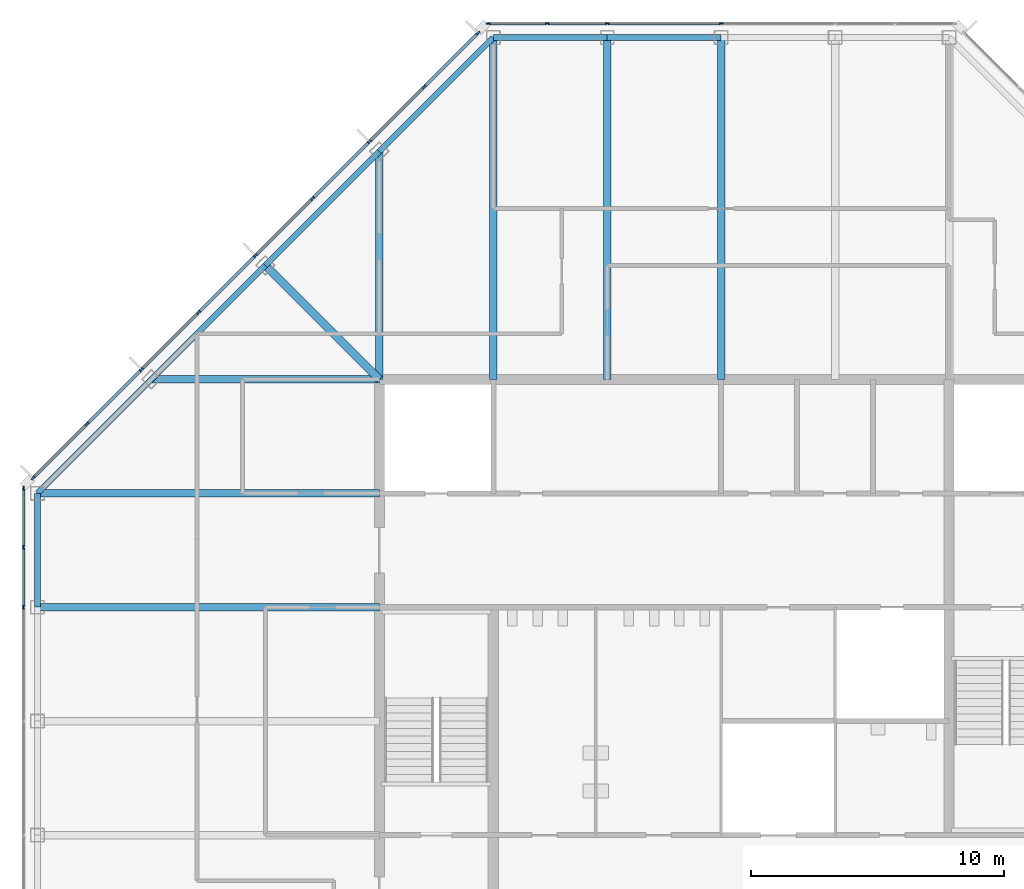
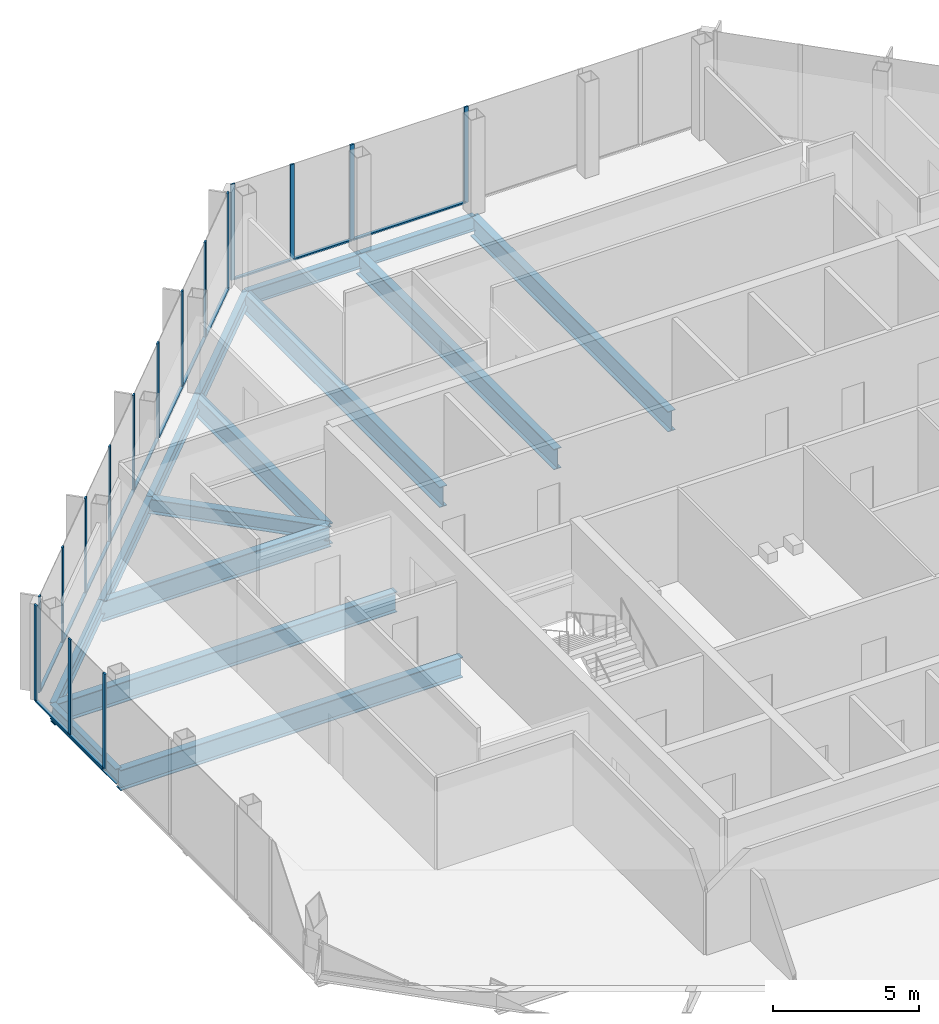
# One storey, part 6 of 13: 29 members, 15 beams, 3 elements without a shape of their own.
"""IFC4 building model written with IfcOpenShell, lengths in metres."""

from ifc_helpers import new_model, si_unit, direction, frame, origin, origin_2d, place, context, subcontext, project, spatial, rectangle, i_section, extrude, material, material_profile, profile_set, type_object, element, aggregate, save


model = new_model("IFC4")

# Units and contexts
model_context = context("Model", 3, precision=1e-05, world=origin(), true_north=direction((0.0, 1.0)))
body_context = subcontext(model_context, "Body", "Model", "MODEL_VIEW")
ifc_project = project(units=[si_unit("LENGTHUNIT", "METRE"), si_unit("AREAUNIT", "SQUARE_METRE"), si_unit("VOLUMEUNIT", "CUBIC_METRE"), si_unit("PLANEANGLEUNIT", "RADIAN"), si_unit("MASSUNIT", "GRAM", prefix="KILO")], contexts=[model_context])

# Site, building, storey
site_placement = place(None, origin())
site = spatial("IfcSite", under=ifc_project, at=site_placement, CompositionType="ELEMENT")
building_placement = place(site_placement, origin())
building = spatial("IfcBuilding", under=site, at=building_placement, Name="Corais Broadcast Tower", CompositionType="ELEMENT")
storey_placement = place(building_placement, frame((0.0, 0.0, 302.60009765625)))
storey = spatial("IfcBuildingStorey", under=building, at=storey_placement, Name="L71", CompositionType="ELEMENT", Elevation=302.60009765625)

# Beams
ifc_material_1 = material(Name="Steel ASTM A572 Grade 50", Category="steel")
ifc_material_profile_1 = material_profile(ifc_material_1, i_section(OverallWidth=0.323974609375, OverallDepth=0.611083984375, WebThickness=0.0126953125, FlangeThickness=0.01904296875, at=origin_2d()), Name="W610x155")
ifc_profile_set_1 = profile_set([ifc_material_profile_1], Name="Steel ASTM A572 Grade 50")
beam_type_1 = type_object("IfcBeamType", Name="Corner diagonal W610x155", PredefinedType="BEAM", material=ifc_profile_set_1)
beam_1_placement = place(storey_placement, frame((9.0, 45.0, -0.465576171875), z_axis=(0.707106781187, -0.707106781187, 0.0), x_axis=(0.707106781187, 0.707106781187, 0.0)))
element("IfcBeam", 1, at=beam_1_placement, inside=storey, type_object=beam_type_1, Name="B6 L/5 to K/6", PredefinedType="BEAM", context=body_context, shape_type="SweptSolid", body=[
    extrude(i_section(OverallWidth=0.323974609375, OverallDepth=0.611083984375, WebThickness=0.0126953125, FlangeThickness=0.01904296875, at=origin_2d()), origin(), (0.0, 0.0, 1.0), 6.364013671875),
])
ifc_material_2 = material(Name="Steel ASTM A572 Grade 50", Category="steel")
ifc_material_profile_2 = material_profile(ifc_material_2, i_section(OverallWidth=0.2939453125, OverallDepth=0.85107421875, WebThickness=0.01611328125, FlangeThickness=0.02685546875, at=origin_2d()), Name="W840x226")
ifc_profile_set_2 = profile_set([ifc_material_profile_2], Name="Steel ASTM A572 Grade 50")
beam_type_2 = type_object("IfcBeamType", Name="Floor beam W840x226", PredefinedType="BEAM", material=ifc_profile_set_2)
for number, where, z_axis, x_axis, name in (
    (2, (0.0, 31.5, -0.585693359375), (1.0, 0.0, 0.0), (0.0, 1.0, 0.0), "B1 H/3 to H/6"),
    (3, (0.0, 36.0, -0.585693359375), (1.0, 0.0, 0.0), (0.0, 1.0, 0.0), "B1 J/3 to J/6"),
):
    element("IfcBeam", number, at=place(storey_placement, frame(where, z_axis=z_axis, x_axis=x_axis)), inside=storey, type_object=beam_type_2, Name=name, PredefinedType="BEAM", context=body_context, shape_type="SweptSolid", body=[
        extrude(i_section(OverallWidth=0.2939453125, OverallDepth=0.85107421875, WebThickness=0.01611328125, FlangeThickness=0.02685546875, at=origin_2d()), origin(), (0.0, 0.0, 1.0), 13.5),
    ])
beam_2_placement = place(storey_placement, frame((13.5, 49.5, -0.585693359375), z_axis=(0.0, -1.0, 0.0), x_axis=(1.0, 0.0, 0.0)))
element("IfcBeam", 4, at=beam_2_placement, inside=storey, type_object=beam_type_2, Name="B1 M/6 to K/6", PredefinedType="BEAM", context=body_context, shape_type="SweptSolid", body=[
    extrude(i_section(OverallWidth=0.2939453125, OverallDepth=0.85107421875, WebThickness=0.01611328125, FlangeThickness=0.02685546875, at=origin_2d()), origin(), (0.0, 0.0, 1.0), 9.0),
])
for number, where, z_axis, x_axis, name in (
    (5, (18.0, 54.0, -0.585693359375), (0.0, -1.0, 0.0), (1.0, 0.0, 0.0), "B1 N/7 to K/7"),
    (6, (22.5, 54.0, -0.585693359375), (0.0, -1.0, 0.0), (1.0, 0.0, 0.0), "B1 N/8 to K/8"),
    (7, (27.0, 54.0, -0.585693359375), (0.0, -1.0, 0.0), (1.0, 0.0, 0.0), "B1 N/9 to K/9"),
):
    element("IfcBeam", number, at=place(storey_placement, frame(where, z_axis=z_axis, x_axis=x_axis)), inside=storey, type_object=beam_type_2, Name=name, PredefinedType="BEAM", context=body_context, shape_type="SweptSolid", body=[
        extrude(i_section(OverallWidth=0.2939453125, OverallDepth=0.85107421875, WebThickness=0.01611328125, FlangeThickness=0.02685546875, at=origin_2d()), origin(), (0.0, 0.0, 1.0), 13.5),
    ])
beam_3_placement = place(storey_placement, frame((4.5, 40.5, -0.585693359375), z_axis=(1.0, 0.0, 0.0), x_axis=(0.0, 1.0, 0.0)))
element("IfcBeam", 8, at=beam_3_placement, inside=storey, type_object=beam_type_2, Name="B1 K/4 to K/6", PredefinedType="BEAM", context=body_context, shape_type="SweptSolid", body=[
    extrude(i_section(OverallWidth=0.2939453125, OverallDepth=0.85107421875, WebThickness=0.01611328125, FlangeThickness=0.02685546875, at=origin_2d()), origin(), (0.0, 0.0, 1.0), 9.0),
])

# Curtain wall, members
ifc_material_3 = material(Name="Aluminium and glass", Category="aluminium")
curtain_wall_type = type_object("IfcCurtainWallType", Name="Unitised fritted curtain wall CW3", PredefinedType="NOTDEFINED", material=ifc_material_3)
curtain_wall_1_placement = place(storey_placement, origin())
curtain_wall_1 = element("IfcCurtainWall", 9, at=curtain_wall_1_placement, inside=storey, type_object=curtain_wall_type, Name="CW3 curtain wall L71 2", PredefinedType="NOTDEFINED")
ifc_material_4 = material(Name="Aluminium 6063-T6", Category="aluminium")
ifc_material_profile_3 = material_profile(ifc_material_4, rectangle(XDim=0.06494140625, YDim=0.159912109375, at=origin_2d()), Name="Mullion CW3 65x160")
ifc_profile_set_3 = profile_set([ifc_material_profile_3], Name="Aluminium 6063-T6")
member_type_1 = type_object("IfcMemberType", Name="Mullion CW3 65x160", PredefinedType="MULLION", material=ifc_profile_set_3)
member_1_placement = place(storey_placement, frame((-0.550048828125, 31.5, 0.0), z_axis=(0.0, 0.0, 1.0), x_axis=(-1.0, 0.0, 0.0)))
member_1 = element("IfcMember", 10, at=member_1_placement, type_object=member_type_1, Name="CW3 mullion 5", PredefinedType="MULLION", context=body_context, shape_type="SweptSolid", body=[
    extrude(rectangle(XDim=0.06494140625, YDim=0.159912109375, at=origin_2d()), origin(), (0.0, 0.0, 1.0), 4.0),
])
member_2_placement = place(storey_placement, frame((-0.550048828125, 33.864013671875, 0.0), z_axis=(0.0, 0.0, 1.0), x_axis=(-1.0, 0.0, 0.0)))
member_2 = element("IfcMember", 11, at=member_2_placement, type_object=member_type_1, Name="CW3 mullion 6", PredefinedType="MULLION", context=body_context, shape_type="SweptSolid", body=[
    extrude(rectangle(XDim=0.06494140625, YDim=0.159912109375, at=origin_2d()), origin(), (0.0, 0.0, 1.0), 4.0),
])
member_3_placement = place(storey_placement, frame((-0.550048828125, 36.1953125, 0.0), z_axis=(0.0, 0.0, 1.0), x_axis=(-1.0, 0.0, 0.0)))
member_3 = element("IfcMember", 12, at=member_3_placement, type_object=member_type_1, Name="CW3 mullion 7", PredefinedType="MULLION", context=body_context, shape_type="SweptSolid", body=[
    extrude(rectangle(XDim=0.06494140625, YDim=0.159912109375, at=origin_2d()), origin(), (0.0, 0.0, 1.0), 4.0),
])

curtain_wall_2_placement = place(storey_placement, origin())
curtain_wall_2 = element("IfcCurtainWall", 13, at=curtain_wall_2_placement, inside=storey, type_object=curtain_wall_type, Name="CW3 curtain wall L71 3", PredefinedType="NOTDEFINED")
member_4_placement = place(storey_placement, frame((-0.17333984375, 36.6044921875, 0.0), z_axis=(0.0, 0.0, 1.0), x_axis=(-0.707106781187, 0.707106781187, 0.0)))
member_4 = element("IfcMember", 14, at=member_4_placement, type_object=member_type_1, Name="CW3 mullion 1", PredefinedType="MULLION", context=body_context, shape_type="SweptSolid", body=[
    extrude(rectangle(XDim=0.06494140625, YDim=0.159912109375, at=origin_2d()), origin(), (0.0, 0.0, 1.0), 4.0),
])
member_5_placement = place(storey_placement, frame((1.957275390625, 38.735107421875, 0.0), z_axis=(0.0, 0.0, 1.0), x_axis=(-0.707106781187, 0.707106781187, 0.0)))
member_5 = element("IfcMember", 15, at=member_5_placement, type_object=member_type_1, Name="CW3 mullion 2", PredefinedType="MULLION", context=body_context, shape_type="SweptSolid", body=[
    extrude(rectangle(XDim=0.06494140625, YDim=0.159912109375, at=origin_2d()), origin(), (0.0, 0.0, 1.0), 4.0),
])
member_6_placement = place(storey_placement, frame((4.111083984375, 40.888916015625, 0.0), z_axis=(0.0, 0.0, 1.0), x_axis=(-0.707106781187, 0.707106781187, 0.0)))
member_6 = element("IfcMember", 16, at=member_6_placement, type_object=member_type_1, Name="CW3 mullion 3", PredefinedType="MULLION", context=body_context, shape_type="SweptSolid", body=[
    extrude(rectangle(XDim=0.06494140625, YDim=0.159912109375, at=origin_2d()), origin(), (0.0, 0.0, 1.0), 4.0),
])
member_7_placement = place(storey_placement, frame((6.361083984375, 43.138916015625, 0.0), z_axis=(0.0, 0.0, 1.0), x_axis=(-0.707106781187, 0.707106781187, 0.0)))
member_7 = element("IfcMember", 17, at=member_7_placement, type_object=member_type_1, Name="CW3 mullion 4", PredefinedType="MULLION", context=body_context, shape_type="SweptSolid", body=[
    extrude(rectangle(XDim=0.06494140625, YDim=0.159912109375, at=origin_2d()), origin(), (0.0, 0.0, 1.0), 4.0),
])
member_8_placement = place(storey_placement, frame((8.611083984375, 45.388916015625, 0.0), z_axis=(0.0, 0.0, 1.0), x_axis=(-0.707106781187, 0.707106781187, 0.0)))
member_8 = element("IfcMember", 18, at=member_8_placement, type_object=member_type_1, Name="CW3 mullion 5", PredefinedType="MULLION", context=body_context, shape_type="SweptSolid", body=[
    extrude(rectangle(XDim=0.06494140625, YDim=0.159912109375, at=origin_2d()), origin(), (0.0, 0.0, 1.0), 4.0),
])
member_9_placement = place(storey_placement, frame((10.861083984375, 47.638916015625, 0.0), z_axis=(0.0, 0.0, 1.0), x_axis=(-0.707106781187, 0.707106781187, 0.0)))
member_9 = element("IfcMember", 19, at=member_9_placement, type_object=member_type_1, Name="CW3 mullion 6", PredefinedType="MULLION", context=body_context, shape_type="SweptSolid", body=[
    extrude(rectangle(XDim=0.06494140625, YDim=0.159912109375, at=origin_2d()), origin(), (0.0, 0.0, 1.0), 4.0),
])
member_10_placement = place(storey_placement, frame((13.111083984375, 49.888916015625, 0.0), z_axis=(0.0, 0.0, 1.0), x_axis=(-0.707106781187, 0.707106781187, 0.0)))
member_10 = element("IfcMember", 20, at=member_10_placement, type_object=member_type_1, Name="CW3 mullion 7", PredefinedType="MULLION", context=body_context, shape_type="SweptSolid", body=[
    extrude(rectangle(XDim=0.06494140625, YDim=0.159912109375, at=origin_2d()), origin(), (0.0, 0.0, 1.0), 4.0),
])
member_11_placement = place(storey_placement, frame((15.264892578125, 52.042724609375, 0.0), z_axis=(0.0, 0.0, 1.0), x_axis=(-0.707106781187, 0.707106781187, 0.0)))
member_11 = element("IfcMember", 21, at=member_11_placement, type_object=member_type_1, Name="CW3 mullion 8", PredefinedType="MULLION", context=body_context, shape_type="SweptSolid", body=[
    extrude(rectangle(XDim=0.06494140625, YDim=0.159912109375, at=origin_2d()), origin(), (0.0, 0.0, 1.0), 4.0),
])
member_12_placement = place(storey_placement, frame((17.3955078125, 54.17333984375, 0.0), z_axis=(0.0, 0.0, 1.0), x_axis=(-0.707106781187, 0.707106781187, 0.0)))
member_12 = element("IfcMember", 22, at=member_12_placement, type_object=member_type_1, Name="CW3 mullion 9", PredefinedType="MULLION", context=body_context, shape_type="SweptSolid", body=[
    extrude(rectangle(XDim=0.06494140625, YDim=0.159912109375, at=origin_2d()), origin(), (0.0, 0.0, 1.0), 4.0),
])

curtain_wall_3_placement = place(storey_placement, origin())
curtain_wall_3 = element("IfcCurtainWall", 23, at=curtain_wall_3_placement, inside=storey, type_object=curtain_wall_type, Name="CW3 curtain wall L71 4", PredefinedType="NOTDEFINED")
member_13_placement = place(storey_placement, frame((17.8046875, 54.550048828125, 0.0), z_axis=(0.0, 0.0, 1.0), x_axis=(0.0, 1.0, 0.0)))
member_13 = element("IfcMember", 24, at=member_13_placement, type_object=member_type_1, Name="CW3 mullion 1", PredefinedType="MULLION", context=body_context, shape_type="SweptSolid", body=[
    extrude(rectangle(XDim=0.06494140625, YDim=0.159912109375, at=origin_2d()), origin(), (0.0, 0.0, 1.0), 4.0),
])
member_14_placement = place(storey_placement, frame((20.135986328125, 54.550048828125, 0.0), z_axis=(0.0, 0.0, 1.0), x_axis=(0.0, 1.0, 0.0)))
member_14 = element("IfcMember", 25, at=member_14_placement, type_object=member_type_1, Name="CW3 mullion 2", PredefinedType="MULLION", context=body_context, shape_type="SweptSolid", body=[
    extrude(rectangle(XDim=0.06494140625, YDim=0.159912109375, at=origin_2d()), origin(), (0.0, 0.0, 1.0), 4.0),
])
member_15_placement = place(storey_placement, frame((22.5, 54.550048828125, 0.0), z_axis=(0.0, 0.0, 1.0), x_axis=(0.0, 1.0, 0.0)))
member_15 = element("IfcMember", 26, at=member_15_placement, type_object=member_type_1, Name="CW3 mullion 3", PredefinedType="MULLION", context=body_context, shape_type="SweptSolid", body=[
    extrude(rectangle(XDim=0.06494140625, YDim=0.159912109375, at=origin_2d()), origin(), (0.0, 0.0, 1.0), 4.0),
])
member_16_placement = place(storey_placement, frame((27.0, 54.550048828125, 0.0), z_axis=(0.0, 0.0, 1.0), x_axis=(0.0, 1.0, 0.0)))
member_16 = element("IfcMember", 27, at=member_16_placement, type_object=member_type_1, Name="CW3 mullion 4", PredefinedType="MULLION", context=body_context, shape_type="SweptSolid", body=[
    extrude(rectangle(XDim=0.06494140625, YDim=0.159912109375, at=origin_2d()), origin(), (0.0, 0.0, 1.0), 4.0),
])

# Beams
ifc_material_5 = material(Name="Steel ASTM A572 Grade 50", Category="steel")
ifc_material_profile_4 = material_profile(ifc_material_5, i_section(OverallWidth=0.22998046875, OverallDepth=0.616943359375, WebThickness=0.01318359375, FlangeThickness=0.022216796875, at=origin_2d()), Name="W610x140")
ifc_profile_set_4 = profile_set([ifc_material_profile_4], Name="Steel ASTM A572 Grade 50")
beam_type_3 = type_object("IfcBeamType", Name="Spandrel W610x140", PredefinedType="BEAM", material=ifc_profile_set_4)
beam_4_placement = place(storey_placement, frame((0.0, 36.0, -0.468505859375), z_axis=(0.0, -1.0, 0.0), x_axis=(1.0, 0.0, 0.0)))
element("IfcBeam", 28, at=beam_4_placement, inside=storey, type_object=beam_type_3, Name="SB3 J/3 to H/3", PredefinedType="BEAM", context=body_context, shape_type="SweptSolid", body=[
    extrude(i_section(OverallWidth=0.22998046875, OverallDepth=0.616943359375, WebThickness=0.01318359375, FlangeThickness=0.022216796875, at=origin_2d()), origin(), (0.0, 0.0, 1.0), 4.5),
])
for number, where, z_axis, x_axis, name in (
    (29, (13.5, 49.5, -0.468505859375), (-0.707106781187, -0.707106781187, 0.0), (0.707106781187, -0.707106781187, 0.0), "SB3 M/6 to L/5"),
    (30, (18.0, 54.0, -0.468505859375), (-0.707106781187, -0.707106781187, 0.0), (0.707106781187, -0.707106781187, 0.0), "SB3 N/7 to M/6"),
):
    element("IfcBeam", number, at=place(storey_placement, frame(where, z_axis=z_axis, x_axis=x_axis)), inside=storey, type_object=beam_type_3, Name=name, PredefinedType="BEAM", context=body_context, shape_type="SweptSolid", body=[
        extrude(i_section(OverallWidth=0.22998046875, OverallDepth=0.616943359375, WebThickness=0.01318359375, FlangeThickness=0.022216796875, at=origin_2d()), origin(), (0.0, 0.0, 1.0), 6.364013671875),
    ])
for number, where, z_axis, x_axis, name in (
    (31, (22.5, 54.0, -0.468505859375), (-1.0, 0.0, 0.0), (0.0, -1.0, 0.0), "SB3 N/8 to N/7"),
    (32, (27.0, 54.0, -0.468505859375), (-1.0, 0.0, 0.0), (0.0, -1.0, 0.0), "SB3 N/9 to N/8"),
):
    element("IfcBeam", number, at=place(storey_placement, frame(where, z_axis=z_axis, x_axis=x_axis)), inside=storey, type_object=beam_type_3, Name=name, PredefinedType="BEAM", context=body_context, shape_type="SweptSolid", body=[
        extrude(i_section(OverallWidth=0.22998046875, OverallDepth=0.616943359375, WebThickness=0.01318359375, FlangeThickness=0.022216796875, at=origin_2d()), origin(), (0.0, 0.0, 1.0), 4.5),
    ])
for number, where, z_axis, x_axis, name in (
    (33, (4.5, 40.5, -0.468505859375), (-0.707106781187, -0.707106781187, 0.0), (0.707106781187, -0.707106781187, 0.0), "SB3 K/4 to J/3"),
    (34, (9.0, 45.0, -0.468505859375), (-0.707106781187, -0.707106781187, 0.0), (0.707106781187, -0.707106781187, 0.0), "SB3 L/5 to K/4"),
):
    element("IfcBeam", number, at=place(storey_placement, frame(where, z_axis=z_axis, x_axis=x_axis)), inside=storey, type_object=beam_type_3, Name=name, PredefinedType="BEAM", context=body_context, shape_type="SweptSolid", body=[
        extrude(i_section(OverallWidth=0.22998046875, OverallDepth=0.616943359375, WebThickness=0.01318359375, FlangeThickness=0.022216796875, at=origin_2d()), origin(), (0.0, 0.0, 1.0), 6.364013671875),
    ])

# Member
ifc_material_6 = material(Name="Aluminium 6063-T6", Category="aluminium")
ifc_material_profile_5 = material_profile(ifc_material_6, rectangle(XDim=0.1201171875, YDim=0.06494140625, at=origin_2d()), Name="Transom CW3 65x120")
ifc_profile_set_5 = profile_set([ifc_material_profile_5], Name="Aluminium 6063-T6")
member_type_2 = type_object("IfcMemberType", Name="Transom CW3 65x120", PredefinedType="USERDEFINED", material=ifc_profile_set_5)
member_17_placement = place(storey_placement, frame((-0.550048828125, 31.532470703125, 0.032470703125), z_axis=(0.0, 1.0, 0.0), x_axis=(-1.0, 0.0, 0.0)))
member_17 = element("IfcMember", 35, at=member_17_placement, type_object=member_type_2, Name="CW3 transom 5.1", ObjectType="TRANSOM", PredefinedType="USERDEFINED", context=body_context, shape_type="SweptSolid", body=[
    extrude(rectangle(XDim=0.1201171875, YDim=0.06494140625, at=origin_2d()), origin(), (0.0, 0.0, 1.0), 2.298828125),
])

member_18_placement = place(storey_placement, frame((-0.550048828125, 33.896484375, 0.032470703125), z_axis=(0.0, 1.0, 0.0), x_axis=(-1.0, 0.0, 0.0)))
member_18 = element("IfcMember", 36, at=member_18_placement, type_object=member_type_2, Name="CW3 transom 6.1", ObjectType="TRANSOM", PredefinedType="USERDEFINED", context=body_context, shape_type="SweptSolid", body=[
    extrude(rectangle(XDim=0.1201171875, YDim=0.06494140625, at=origin_2d()), origin(), (0.0, 0.0, 1.0), 2.266357421875),
])

aggregate(curtain_wall_1, [member_1, member_2, member_3, member_17, member_18])

member_19_placement = place(storey_placement, frame((-0.150390625, 36.62744140625, 0.032470703125), z_axis=(0.707106781187, 0.707106781187, 0.0), x_axis=(-0.707106781187, 0.707106781187, 0.0)))
member_19 = element("IfcMember", 37, at=member_19_placement, type_object=member_type_2, Name="CW3 transom 1.1", ObjectType="TRANSOM", PredefinedType="USERDEFINED", context=body_context, shape_type="SweptSolid", body=[
    extrude(rectangle(XDim=0.1201171875, YDim=0.06494140625, at=origin_2d()), origin(), (0.0, 0.0, 1.0), 2.9482421875),
])

member_20_placement = place(storey_placement, frame((1.980224609375, 38.758056640625, 0.032470703125), z_axis=(0.707106781187, 0.707106781187, 0.0), x_axis=(-0.707106781187, 0.707106781187, 0.0)))
member_20 = element("IfcMember", 38, at=member_20_placement, type_object=member_type_2, Name="CW3 transom 2.1", ObjectType="TRANSOM", PredefinedType="USERDEFINED", context=body_context, shape_type="SweptSolid", body=[
    extrude(rectangle(XDim=0.1201171875, YDim=0.06494140625, at=origin_2d()), origin(), (0.0, 0.0, 1.0), 2.98095703125),
])

member_21_placement = place(storey_placement, frame((4.134033203125, 40.911865234375, 0.032470703125), z_axis=(0.707106781187, 0.707106781187, 0.0), x_axis=(-0.707106781187, 0.707106781187, 0.0)))
member_21 = element("IfcMember", 39, at=member_21_placement, type_object=member_type_2, Name="CW3 transom 3.1", ObjectType="TRANSOM", PredefinedType="USERDEFINED", context=body_context, shape_type="SweptSolid", body=[
    extrude(rectangle(XDim=0.1201171875, YDim=0.06494140625, at=origin_2d()), origin(), (0.0, 0.0, 1.0), 3.1171875),
])

member_22_placement = place(storey_placement, frame((6.384033203125, 43.161865234375, 0.032470703125), z_axis=(0.707106781187, 0.707106781187, 0.0), x_axis=(-0.707106781187, 0.707106781187, 0.0)))
member_22 = element("IfcMember", 40, at=member_22_placement, type_object=member_type_2, Name="CW3 transom 4.1", ObjectType="TRANSOM", PredefinedType="USERDEFINED", context=body_context, shape_type="SweptSolid", body=[
    extrude(rectangle(XDim=0.1201171875, YDim=0.06494140625, at=origin_2d()), origin(), (0.0, 0.0, 1.0), 3.1171875),
])

member_23_placement = place(storey_placement, frame((8.634033203125, 45.411865234375, 0.032470703125), z_axis=(0.707106781187, 0.707106781187, 0.0), x_axis=(-0.707106781187, 0.707106781187, 0.0)))
member_23 = element("IfcMember", 41, at=member_23_placement, type_object=member_type_2, Name="CW3 transom 5.1", ObjectType="TRANSOM", PredefinedType="USERDEFINED", context=body_context, shape_type="SweptSolid", body=[
    extrude(rectangle(XDim=0.1201171875, YDim=0.06494140625, at=origin_2d()), origin(), (0.0, 0.0, 1.0), 3.1171875),
])

member_24_placement = place(storey_placement, frame((10.884033203125, 47.661865234375, 0.032470703125), z_axis=(0.707106781187, 0.707106781187, 0.0), x_axis=(-0.707106781187, 0.707106781187, 0.0)))
member_24 = element("IfcMember", 42, at=member_24_placement, type_object=member_type_2, Name="CW3 transom 6.1", ObjectType="TRANSOM", PredefinedType="USERDEFINED", context=body_context, shape_type="SweptSolid", body=[
    extrude(rectangle(XDim=0.1201171875, YDim=0.06494140625, at=origin_2d()), origin(), (0.0, 0.0, 1.0), 3.1171875),
])

member_25_placement = place(storey_placement, frame((13.134033203125, 49.911865234375, 0.032470703125), z_axis=(0.70714773134, 0.707065828661, 0.0), x_axis=(-0.707065828661, 0.70714773134, 0.0)))
member_25 = element("IfcMember", 43, at=member_25_placement, type_object=member_type_2, Name="CW3 transom 7.1", ObjectType="TRANSOM", PredefinedType="USERDEFINED", context=body_context, shape_type="SweptSolid", body=[
    extrude(rectangle(XDim=0.1201171875, YDim=0.06494140625, at=origin_2d()), origin(), (0.0, 0.0, 1.0), 2.98095703125),
])

member_26_placement = place(storey_placement, frame((15.287841796875, 52.065673828125, 0.032470703125), z_axis=(0.707106781187, 0.707106781187, 0.0), x_axis=(-0.707106781187, 0.707106781187, 0.0)))
member_26 = element("IfcMember", 44, at=member_26_placement, type_object=member_type_2, Name="CW3 transom 8.1", ObjectType="TRANSOM", PredefinedType="USERDEFINED", context=body_context, shape_type="SweptSolid", body=[
    extrude(rectangle(XDim=0.1201171875, YDim=0.06494140625, at=origin_2d()), origin(), (0.0, 0.0, 1.0), 2.9482421875),
])

aggregate(curtain_wall_2, [member_4, member_5, member_6, member_7, member_8, member_9, member_10, member_11, member_12, member_19, member_20, member_21, member_22, member_23, member_24, member_25, member_26])

member_27_placement = place(storey_placement, frame((17.837158203125, 54.550048828125, 0.032470703125), z_axis=(1.0, 0.0, 0.0), x_axis=(0.0, 1.0, 0.0)))
member_27 = element("IfcMember", 45, at=member_27_placement, type_object=member_type_2, Name="CW3 transom 1.1", ObjectType="TRANSOM", PredefinedType="USERDEFINED", context=body_context, shape_type="SweptSolid", body=[
    extrude(rectangle(XDim=0.1201171875, YDim=0.06494140625, at=origin_2d()), origin(), (0.0, 0.0, 1.0), 2.266357421875),
])

member_28_placement = place(storey_placement, frame((20.168701171875, 54.550048828125, 0.032470703125), z_axis=(1.0, 0.0, 0.0), x_axis=(0.0, 1.0, 0.0)))
member_28 = element("IfcMember", 46, at=member_28_placement, type_object=member_type_2, Name="CW3 transom 2.1", ObjectType="TRANSOM", PredefinedType="USERDEFINED", context=body_context, shape_type="SweptSolid", body=[
    extrude(rectangle(XDim=0.1201171875, YDim=0.06494140625, at=origin_2d()), origin(), (0.0, 0.0, 1.0), 2.298828125),
])

member_29_placement = place(storey_placement, frame((22.532470703125, 54.550048828125, 0.032470703125), z_axis=(1.0, 0.0, 0.0), x_axis=(0.0, 1.0, 0.0)))
member_29 = element("IfcMember", 47, at=member_29_placement, type_object=member_type_2, Name="CW3 transom 3.1", ObjectType="TRANSOM", PredefinedType="USERDEFINED", context=body_context, shape_type="SweptSolid", body=[
    extrude(rectangle(XDim=0.1201171875, YDim=0.06494140625, at=origin_2d()), origin(), (0.0, 0.0, 1.0), 4.43505859375),
])

aggregate(curtain_wall_3, [member_13, member_14, member_15, member_16, member_27, member_28, member_29])

save(model, "model.ifc")
